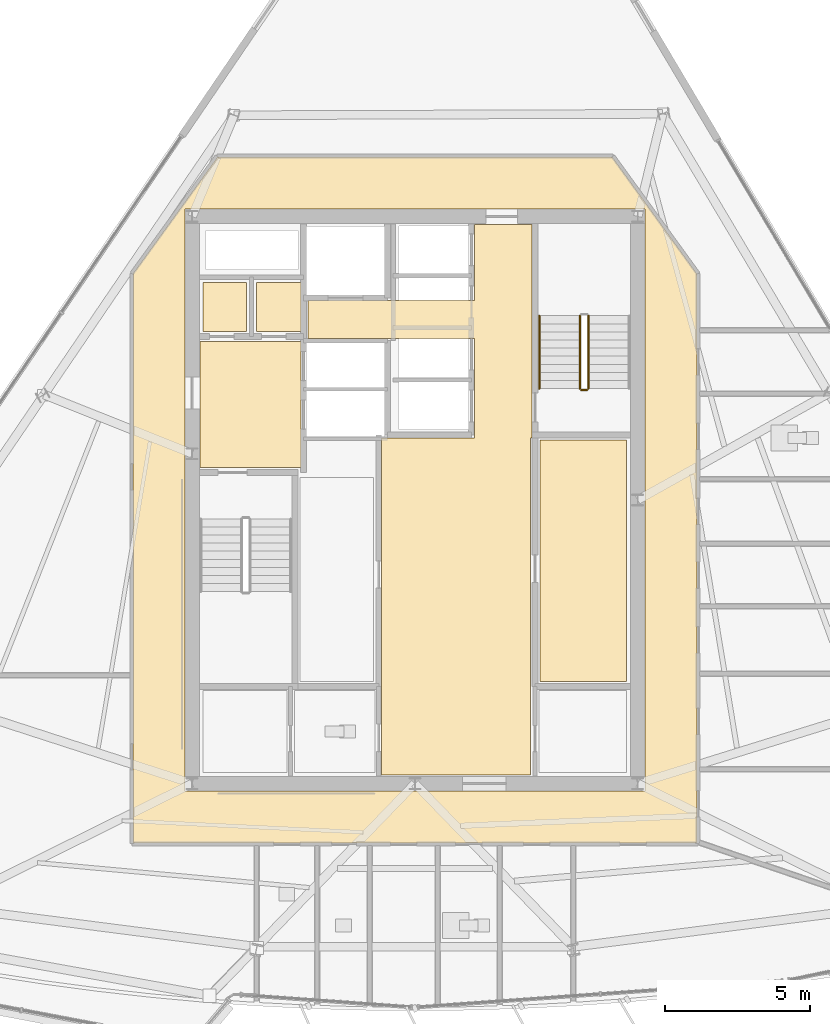
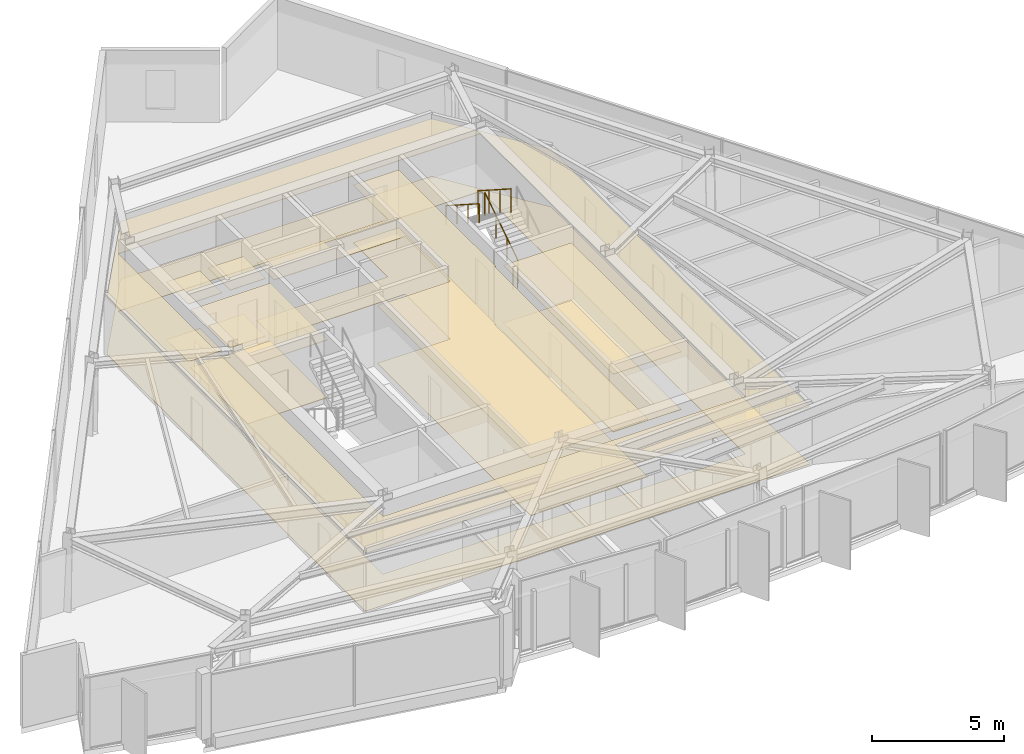
# One storey, part 11 of 14: 12 coverings, 4 railings.
"""IFC4 building model written with IfcOpenShell, lengths in metres."""

from ifc_helpers import new_model, si_unit, direction, frame, origin, origin_2d, place, context, subcontext, project, spatial, polyline, circle, outline, extrude, material, layer, layer_set, type_object, element, save


model = new_model("IFC4")

# Units and contexts
model_context = context("Model", 3, precision=1e-05, world=origin(), true_north=direction((0.0, 1.0)))
body_context = subcontext(model_context, "Body", "Model", "MODEL_VIEW")
ifc_project = project(units=[si_unit("LENGTHUNIT", "METRE"), si_unit("AREAUNIT", "SQUARE_METRE"), si_unit("VOLUMEUNIT", "CUBIC_METRE"), si_unit("PLANEANGLEUNIT", "RADIAN"), si_unit("MASSUNIT", "GRAM", prefix="KILO")], contexts=[model_context])

# Site, building, storey
site_placement = place(None, origin())
site = spatial("IfcSite", under=ifc_project, at=site_placement, CompositionType="ELEMENT")
building_placement = place(site_placement, origin())
building = spatial("IfcBuilding", under=site, at=building_placement, Name="Savorim Split Tower", CompositionType="ELEMENT")
storey_placement = place(building_placement, frame((0.0, 0.0, 227.10009765625)))
storey = spatial("IfcBuildingStorey", under=building, at=storey_placement, Name="L60", CompositionType="ELEMENT", Elevation=227.10009765625)

# Coverings
ifc_material_1 = material(Name="Mineral Fibre Acoustic Ceiling")
ifc_layer_1 = layer(ifc_material_1, 0.02490234375)
ifc_layer_set_1 = layer_set([ifc_layer_1], Name="COV-CEIL-25")
covering_type_1 = type_object("IfcCoveringType", Name="COV-CEIL-25", PredefinedType="CEILING", material=ifc_layer_set_1)
covering_1_placement = place(storey_placement, frame((0.0, 0.0, 2.669921875)))
element("IfcCovering", 1, at=covering_1_placement, inside=storey, type_object=covering_type_1, Name="L60 Firefighting Lift Lobby Acoustic Ceiling", PredefinedType="CEILING", context=body_context, shape_type="SweptSolid", body=[
    extrude(outline(polyline([(-7.429931640625, 5.8701171875), (-7.429931640625, 1.530029296875), (-3.929931640625, 1.530029296875), (-3.929931640625, 5.8701171875), (-7.429931640625, 5.8701171875)])), origin(), (0.0, 0.0, 1.0), 0.02490234375),
])
covering_2_placement = place(storey_placement, frame((0.0, 0.0, 2.669921875)))
element("IfcCovering", 2, at=covering_2_placement, inside=storey, type_object=covering_type_1, Name="L60 Electrical Riser Acoustic Ceiling", PredefinedType="CEILING", context=body_context, shape_type="SweptSolid", body=[
    extrude(outline(polyline([(-7.320068359375, 7.919921875), (-7.320068359375, 6.22998046875), (-5.830078125, 6.22998046875), (-5.830078125, 7.919921875), (-7.320068359375, 7.919921875)])), origin(), (0.0, 0.0, 1.0), 0.02490234375),
])
covering_3_placement = place(storey_placement, frame((0.0, 0.0, 2.669921875)))
element("IfcCovering", 3, at=covering_3_placement, inside=storey, type_object=covering_type_1, Name="L60 Telecom Riser Acoustic Ceiling", PredefinedType="CEILING", context=body_context, shape_type="SweptSolid", body=[
    extrude(outline(polyline([(-5.469970703125, 7.919921875), (-5.469970703125, 6.22998046875), (-3.929931640625, 6.22998046875), (-3.929931640625, 7.919921875), (-5.469970703125, 7.919921875)])), origin(), (0.0, 0.0, 1.0), 0.02490234375),
])
covering_4_placement = place(storey_placement, frame((0.0, 0.0, 2.669921875)))
element("IfcCovering", 4, at=covering_4_placement, inside=storey, type_object=covering_type_1, Name="L60 Lift Lobby Acoustic Ceiling", PredefinedType="CEILING", context=body_context, shape_type="SweptSolid", body=[
    extrude(outline(polyline([(2.050048828125, 2.550048828125), (-1.14990234375, 2.550048828125), (-1.14990234375, -9.10009765625), (4.0, -9.10009765625), (4.0, 2.550048828125), (4.050048828125, 2.550048828125), (4.050048828125, 5.97998046875), (4.050048828125, 7.300048828125), (4.050048828125, 9.929931640625), (2.050048828125, 9.929931640625), (2.050048828125, 7.300048828125), (-3.699951171875, 7.300048828125), (-3.699951171875, 5.97998046875), (2.050048828125, 5.97998046875), (2.050048828125, 2.550048828125)])), origin(), (0.0, 0.0, 1.0), 0.02490234375),
])
covering_5_placement = place(storey_placement, frame((0.0, 0.0, 2.669921875)))
element("IfcCovering", 5, at=covering_5_placement, inside=storey, type_object=covering_type_1, Name="L60 Shared Pantry and Linen Room Acoustic Ceiling", PredefinedType="CEILING", context=body_context, shape_type="SweptSolid", body=[
    extrude(outline(polyline([(4.330078125, 2.469970703125), (4.330078125, -5.8701171875), (7.320068359375, -5.8701171875), (7.320068359375, 2.469970703125), (4.330078125, 2.469970703125)])), origin(), (0.0, 0.0, 1.0), 0.02490234375),
])
covering_6_placement = place(storey_placement, frame((0.0, 0.0, 2.669921875)))
element("IfcCovering", 6, at=covering_6_placement, inside=storey, type_object=covering_type_1, Name="L60 Corridor Acoustic Ceiling", PredefinedType="CEILING", context=body_context, shape_type="SweptSolid", body=[
    extrude(outline(polyline([(6.809326171875, 12.2490234375), (6.8046875, 12.249755859375), (6.800048828125, 12.25), (-6.800048828125, 12.25), (-6.8046875, 12.249755859375), (-6.809326171875, 12.2490234375), (-6.81396484375, 12.248046875), (-6.818359375, 12.24658203125), (-6.82275390625, 12.244384765625), (-6.826904296875, 12.2421875), (-6.830810546875, 12.239501953125), (-6.834228515625, 12.236328125), (-6.83740234375, 12.23291015625), (-6.840576171875, 12.229248046875), (-9.740478515625, 8.229248046875), (-9.743408203125, 8.22509765625), (-9.74560546875, 8.22021484375), (-9.74755859375, 8.21533203125), (-9.748779296875, 8.21044921875), (-9.749755859375, 8.205078125), (-9.75, 8.199951171875), (-9.75, -11.39990234375), (-9.749755859375, -11.40478515625), (-9.7490234375, -11.409912109375), (-9.747802734375, -11.41455078125), (-9.74609375, -11.419189453125), (-9.744140625, -11.423583984375), (-9.74169921875, -11.427734375), (-9.73876953125, -11.431640625), (-9.7353515625, -11.435302734375), (-9.731689453125, -11.438720703125), (-9.727783203125, -11.441650390625), (-9.7236328125, -11.444091796875), (-9.718994140625, -11.4462890625), (-9.714599609375, -11.44775390625), (-9.709716796875, -11.448974609375), (-9.704833984375, -11.44970703125), (-9.699951171875, -11.449951171875), (9.699951171875, -11.449951171875), (9.704833984375, -11.44970703125), (9.709716796875, -11.448974609375), (9.714599609375, -11.44775390625), (9.718994140625, -11.4462890625), (9.7236328125, -11.444091796875), (9.727783203125, -11.441650390625), (9.731689453125, -11.438720703125), (9.7353515625, -11.435302734375), (9.73876953125, -11.431640625), (9.74169921875, -11.427734375), (9.744140625, -11.423583984375), (9.74609375, -11.419189453125), (9.747802734375, -11.41455078125), (9.7490234375, -11.409912109375), (9.749755859375, -11.40478515625), (9.75, -11.39990234375), (9.75, 8.199951171875), (9.749755859375, 8.205078125), (9.748779296875, 8.21044921875), (9.74755859375, 8.21533203125), (9.74560546875, 8.22021484375), (9.743408203125, 8.22509765625), (9.740478515625, 8.229248046875), (6.840576171875, 12.229248046875), (6.83740234375, 12.23291015625), (6.834228515625, 12.236328125), (6.830810546875, 12.239501953125), (6.826904296875, 12.2421875), (6.82275390625, 12.244384765625), (6.818359375, 12.24658203125), (6.81396484375, 12.248046875), (6.809326171875, 12.2490234375)]), holes=[polyline([(-7.949951171875, 10.449951171875), (-7.949951171875, -9.64990234375), (7.949951171875, -9.64990234375), (7.949951171875, 10.449951171875), (-7.949951171875, 10.449951171875)])]), origin(), (0.0, 0.0, 1.0), 0.02490234375),
])
ifc_material_2 = material(Name="Porcelain Stoneware Flooring", Category="masonry")
ifc_layer_2 = layer(ifc_material_2, 0.02001953125)
ifc_layer_set_2 = layer_set([ifc_layer_2], Name="COV-FLOR-20")
covering_type_2 = type_object("IfcCoveringType", Name="COV-FLOR-20", PredefinedType="FLOORING", material=ifc_layer_set_2)
covering_7_placement = place(storey_placement, origin())
element("IfcCovering", 7, at=covering_7_placement, inside=storey, type_object=covering_type_2, Name="L60 Firefighting Lift Lobby Porcelain Flooring", PredefinedType="FLOORING", context=body_context, shape_type="SweptSolid", body=[
    extrude(outline(polyline([(-7.429931640625, 5.8701171875), (-7.429931640625, 1.530029296875), (-3.929931640625, 1.530029296875), (-3.929931640625, 5.8701171875), (-7.429931640625, 5.8701171875)])), origin(), (0.0, 0.0, 1.0), 0.02001953125),
])
covering_8_placement = place(storey_placement, origin())
element("IfcCovering", 8, at=covering_8_placement, inside=storey, type_object=covering_type_2, Name="L60 Electrical Riser Porcelain Flooring", PredefinedType="FLOORING", context=body_context, shape_type="SweptSolid", body=[
    extrude(outline(polyline([(-7.320068359375, 7.919921875), (-7.320068359375, 6.22998046875), (-5.830078125, 6.22998046875), (-5.830078125, 7.919921875), (-7.320068359375, 7.919921875)])), origin(), (0.0, 0.0, 1.0), 0.02001953125),
])
covering_9_placement = place(storey_placement, origin())
element("IfcCovering", 9, at=covering_9_placement, inside=storey, type_object=covering_type_2, Name="L60 Telecom Riser Porcelain Flooring", PredefinedType="FLOORING", context=body_context, shape_type="SweptSolid", body=[
    extrude(outline(polyline([(-5.469970703125, 7.919921875), (-5.469970703125, 6.22998046875), (-3.929931640625, 6.22998046875), (-3.929931640625, 7.919921875), (-5.469970703125, 7.919921875)])), origin(), (0.0, 0.0, 1.0), 0.02001953125),
])
covering_10_placement = place(storey_placement, origin())
element("IfcCovering", 10, at=covering_10_placement, inside=storey, type_object=covering_type_2, Name="L60 Lift Lobby Porcelain Flooring", PredefinedType="FLOORING", context=body_context, shape_type="SweptSolid", body=[
    extrude(outline(polyline([(2.050048828125, 2.550048828125), (-1.14990234375, 2.550048828125), (-1.14990234375, -9.10009765625), (4.0, -9.10009765625), (4.0, 2.550048828125), (4.050048828125, 2.550048828125), (4.050048828125, 5.97998046875), (4.050048828125, 7.300048828125), (4.050048828125, 9.929931640625), (2.050048828125, 9.929931640625), (2.050048828125, 7.300048828125), (-3.699951171875, 7.300048828125), (-3.699951171875, 5.97998046875), (2.050048828125, 5.97998046875), (2.050048828125, 2.550048828125)])), origin(), (0.0, 0.0, 1.0), 0.02001953125),
])
covering_11_placement = place(storey_placement, origin())
element("IfcCovering", 11, at=covering_11_placement, inside=storey, type_object=covering_type_2, Name="L60 Shared Pantry and Linen Room Porcelain Flooring", PredefinedType="FLOORING", context=body_context, shape_type="SweptSolid", body=[
    extrude(outline(polyline([(4.330078125, 2.469970703125), (4.330078125, -5.8701171875), (7.320068359375, -5.8701171875), (7.320068359375, 2.469970703125), (4.330078125, 2.469970703125)])), origin(), (0.0, 0.0, 1.0), 0.02001953125),
])
covering_12_placement = place(storey_placement, origin())
element("IfcCovering", 12, at=covering_12_placement, inside=storey, type_object=covering_type_2, Name="L60 Corridor Porcelain Flooring", PredefinedType="FLOORING", context=body_context, shape_type="SweptSolid", body=[
    extrude(outline(polyline([(6.809326171875, 12.2490234375), (6.8046875, 12.249755859375), (6.800048828125, 12.25), (-6.800048828125, 12.25), (-6.8046875, 12.249755859375), (-6.809326171875, 12.2490234375), (-6.81396484375, 12.248046875), (-6.818359375, 12.24658203125), (-6.82275390625, 12.244384765625), (-6.826904296875, 12.2421875), (-6.830810546875, 12.239501953125), (-6.834228515625, 12.236328125), (-6.83740234375, 12.23291015625), (-6.840576171875, 12.229248046875), (-9.740478515625, 8.229248046875), (-9.743408203125, 8.22509765625), (-9.74560546875, 8.22021484375), (-9.74755859375, 8.21533203125), (-9.748779296875, 8.21044921875), (-9.749755859375, 8.205078125), (-9.75, 8.199951171875), (-9.75, -11.39990234375), (-9.749755859375, -11.40478515625), (-9.7490234375, -11.409912109375), (-9.747802734375, -11.41455078125), (-9.74609375, -11.419189453125), (-9.744140625, -11.423583984375), (-9.74169921875, -11.427734375), (-9.73876953125, -11.431640625), (-9.7353515625, -11.435302734375), (-9.731689453125, -11.438720703125), (-9.727783203125, -11.441650390625), (-9.7236328125, -11.444091796875), (-9.718994140625, -11.4462890625), (-9.714599609375, -11.44775390625), (-9.709716796875, -11.448974609375), (-9.704833984375, -11.44970703125), (-9.699951171875, -11.449951171875), (9.699951171875, -11.449951171875), (9.704833984375, -11.44970703125), (9.709716796875, -11.448974609375), (9.714599609375, -11.44775390625), (9.718994140625, -11.4462890625), (9.7236328125, -11.444091796875), (9.727783203125, -11.441650390625), (9.731689453125, -11.438720703125), (9.7353515625, -11.435302734375), (9.73876953125, -11.431640625), (9.74169921875, -11.427734375), (9.744140625, -11.423583984375), (9.74609375, -11.419189453125), (9.747802734375, -11.41455078125), (9.7490234375, -11.409912109375), (9.749755859375, -11.40478515625), (9.75, -11.39990234375), (9.75, 8.199951171875), (9.749755859375, 8.205078125), (9.748779296875, 8.21044921875), (9.74755859375, 8.21533203125), (9.74560546875, 8.22021484375), (9.743408203125, 8.22509765625), (9.740478515625, 8.229248046875), (6.840576171875, 12.229248046875), (6.83740234375, 12.23291015625), (6.834228515625, 12.236328125), (6.830810546875, 12.239501953125), (6.826904296875, 12.2421875), (6.82275390625, 12.244384765625), (6.818359375, 12.24658203125), (6.81396484375, 12.248046875), (6.809326171875, 12.2490234375)]), holes=[polyline([(-7.949951171875, 10.449951171875), (-7.949951171875, -9.64990234375), (7.949951171875, -9.64990234375), (7.949951171875, 10.449951171875), (-7.949951171875, 10.449951171875)])]), origin(), (0.0, 0.0, 1.0), 0.02001953125),
])

# Railings
ifc_material_3 = material(Name="Galvanised Painted Steel Balustrade", Category="steel")
railing_type_1 = type_object("IfcRailingType", Name="RLG-HR-900", PredefinedType="HANDRAIL", material=ifc_material_3)
railing_1_placement = place(storey_placement, frame((4.300048828125, 6.77001953125, 1.97998046875)))
element("IfcRailing", 13, at=railing_1_placement, inside=storey, type_object=railing_type_1, Name="L60 ST-2 stair handrail 2", PredefinedType="HANDRAIL", context=body_context, shape_type="SweptSolid", body=[
    extrude(circle(Radius=0.02392578125, at=origin_2d()), frame((0.0, 0.0, 0.8759765625), z_axis=(0.0, -0.841199657755, 0.540724639528), x_axis=(1.0, 0.0, 0.0)), (0.0, 0.0, 1.0), 2.995849609375),
    extrude(circle(Radius=0.02099609375, at=origin_2d()), origin(), (0.0, 0.0, 1.0), 0.851806640625),
    extrude(circle(Radius=0.02099609375, at=origin_2d()), frame((0.0, -0.840087890625, 0.5400390625)), (0.0, 0.0, 1.0), 0.851806640625),
    extrude(circle(Radius=0.02099609375, at=origin_2d()), frame((0.0, -1.679931640625, 1.079833984375)), (0.0, 0.0, 1.0), 0.851806640625),
    extrude(circle(Radius=0.02099609375, at=origin_2d()), frame((0.0, -2.52001953125, 1.619873046875)), (0.0, 0.0, 1.0), 0.851806640625),
])
railing_type_2 = type_object("IfcRailingType", Name="RLG-STG-1100", PredefinedType="BALUSTRADE", material=ifc_material_3)
railing_2_placement = place(storey_placement, frame((6.0, 4.25, 0.179931640625)))
element("IfcRailing", 14, at=railing_2_placement, inside=storey, type_object=railing_type_2, Name="L60 ST-2 stair guard 1", PredefinedType="BALUSTRADE", context=body_context, shape_type="SweptSolid", body=[
    extrude(circle(Radius=0.02392578125, at=origin_2d()), frame((0.0, 0.0, 1.076171875), z_axis=(0.0, 0.841199657755, 0.540724639528), x_axis=(-1.0, 0.0, 0.0)), (0.0, 0.0, 1.0), 2.995849609375),
    extrude(circle(Radius=0.02099609375, at=origin_2d()), origin(), (0.0, 0.0, 1.0), 1.052001953125),
    extrude(circle(Radius=0.02099609375, at=origin_2d()), frame((0.0, 0.840087890625, 0.5400390625)), (0.0, 0.0, 1.0), 1.052001953125),
    extrude(circle(Radius=0.02099609375, at=origin_2d()), frame((0.0, 1.679931640625, 1.079833984375)), (0.0, 0.0, 1.0), 1.052001953125),
    extrude(circle(Radius=0.02099609375, at=origin_2d()), frame((0.0, 2.52001953125, 1.619873046875)), (0.0, 0.0, 1.0), 1.052001953125),
])
railing_3_placement = place(storey_placement, frame((5.699951171875, 6.77001953125, 1.97998046875)))
element("IfcRailing", 15, at=railing_3_placement, inside=storey, type_object=railing_type_2, Name="L60 ST-2 stair guard 3", PredefinedType="BALUSTRADE", context=body_context, shape_type="SweptSolid", body=[
    extrude(circle(Radius=0.02392578125, at=origin_2d()), frame((0.0, 0.0, 1.076171875), z_axis=(0.0, -0.841199657755, 0.540724639528), x_axis=(1.0, 0.0, 0.0)), (0.0, 0.0, 1.0), 2.995849609375),
    extrude(circle(Radius=0.02099609375, at=origin_2d()), origin(), (0.0, 0.0, 1.0), 1.052001953125),
    extrude(circle(Radius=0.02099609375, at=origin_2d()), frame((0.0, -0.840087890625, 0.5400390625)), (0.0, 0.0, 1.0), 1.052001953125),
    extrude(circle(Radius=0.02099609375, at=origin_2d()), frame((0.0, -1.679931640625, 1.079833984375)), (0.0, 0.0, 1.0), 1.052001953125),
    extrude(circle(Radius=0.02099609375, at=origin_2d()), frame((0.0, -2.52001953125, 1.619873046875)), (0.0, 0.0, 1.0), 1.052001953125),
])
railing_4_placement = place(storey_placement, frame((5.949951171875, 4.199951171875, 0.0)))
element("IfcRailing", 16, at=railing_4_placement, inside=storey, type_object=railing_type_2, Name="L60 ST-2 stair guard 4", PredefinedType="BALUSTRADE", context=body_context, shape_type="SweptSolid", body=[
    extrude(circle(Radius=0.02392578125, at=origin_2d()), frame((0.0, 0.0, 1.076171875), z_axis=(-1.0, 0.0, 0.0), x_axis=(0.0, -1.0, 0.0)), (0.0, 0.0, 1.0), 0.199951171875),
    extrude(circle(Radius=0.02099609375, at=origin_2d()), origin(), (0.0, 0.0, 1.0), 1.052001953125),
    extrude(circle(Radius=0.02099609375, at=origin_2d()), frame((-0.199951171875, 0.0, 0.0)), (0.0, 0.0, 1.0), 1.052001953125),
])

save(model, "model.ifc")
